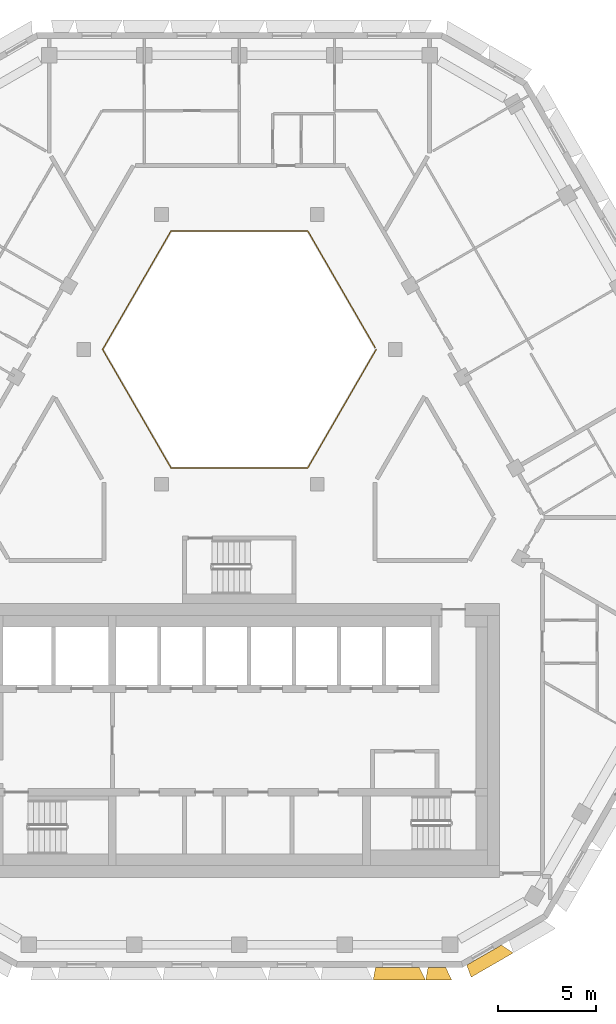
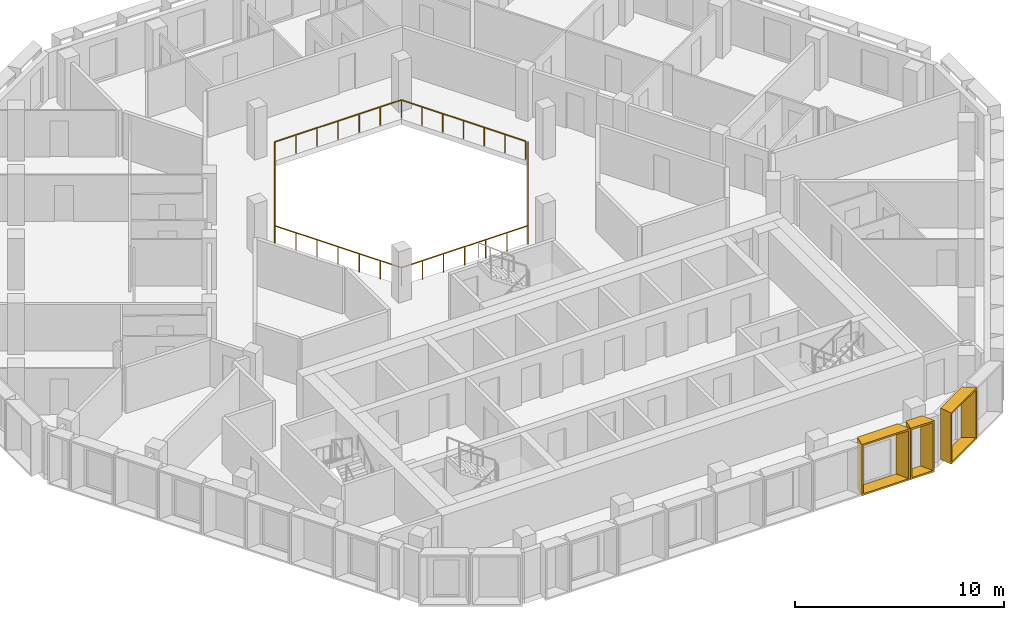
# One storey, part 13 of 15: 3 shading devices, 1 railing.
"""IFC4 building model written with IfcOpenShell, lengths in metres."""

from ifc_helpers import new_model, entity, si_unit, direction, frame, origin, origin_2d, place, context, subcontext, project, spatial, rectangle, extrude, source, transform, mapped, material, type_object, type_shapes, element, save


model = new_model("IFC4")

# Units and contexts
model_context = context("Model", 3, precision=1e-05, world=origin(), true_north=direction((0.0, 1.0)))
body_context = subcontext(model_context, "Body", "Model", "MODEL_VIEW")
ifc_project = project(units=[si_unit("LENGTHUNIT", "METRE"), si_unit("AREAUNIT", "SQUARE_METRE"), si_unit("VOLUMEUNIT", "CUBIC_METRE"), si_unit("PLANEANGLEUNIT", "RADIAN"), si_unit("MASSUNIT", "GRAM", prefix="KILO")], contexts=[model_context])

# Site, building, storey
site_placement = place(None, origin())
site = spatial("IfcSite", under=ifc_project, at=site_placement, CompositionType="ELEMENT")
building_placement = place(site_placement, origin())
building = spatial("IfcBuilding", under=site, at=building_placement, Name="Beryl Residences", CompositionType="ELEMENT")
storey_placement = place(building_placement, frame((0.0, 0.0, 187.199951171875)))
storey = spatial("IfcBuildingStorey", under=building, at=storey_placement, Name="L57", CompositionType="ELEMENT", Elevation=187.199951171875)

# Railing
ifc_material_1 = material(Name="Stainless steel balustrade with glass infill", Category="steel")
railing_type = type_object("IfcRailingType", Name="EG1 edge guard 1100 mm", PredefinedType="GUARDRAIL", material=ifc_material_1)
railing_placement = place(storey_placement, frame((6.9970703125, 8.0, 0.0)))
element("IfcRailing", 1, at=railing_placement, inside=storey, type_object=railing_type, Name="L57 atrium guard", PredefinedType="GUARDRAIL", context=body_context, shape_type="SweptSolid", body=[
    extrude(rectangle(XDim=0.048095703125, YDim=0.048095703125, at=origin_2d()), frame((0.0, 0.0, 1.076171875), z_axis=(-0.499921796684, -0.866070549782, 0.0), x_axis=(0.866070549782, -0.499921796684, 0.0)), (0.0, 0.0, 1.0), 6.9970703125),
    extrude(rectangle(XDim=0.048095703125, YDim=0.048095703125, at=origin_2d()), frame((-3.498046875, -6.06005859375, 1.076171875), z_axis=(-1.0, 0.0, 0.0), x_axis=(0.0, -1.0, 0.0)), (0.0, 0.0, 1.0), 6.998046875),
    extrude(rectangle(XDim=0.048095703125, YDim=0.048095703125, at=origin_2d()), frame((-10.49609375, -6.06005859375, 1.076171875), z_axis=(-0.499921796684, 0.866070549782, 0.0), x_axis=(-0.866070549782, -0.499921796684, 0.0)), (0.0, 0.0, 1.0), 6.9970703125),
    extrude(rectangle(XDim=0.048095703125, YDim=0.048095703125, at=origin_2d()), frame((-13.994140625, 0.0, 1.076171875), z_axis=(0.499921796684, 0.866070549782, 0.0), x_axis=(-0.866070549782, 0.499921796684, 0.0)), (0.0, 0.0, 1.0), 6.9970703125),
    extrude(rectangle(XDim=0.048095703125, YDim=0.048095703125, at=origin_2d()), frame((-10.49609375, 6.06005859375, 1.076171875), z_axis=(1.0, 0.0, 0.0), x_axis=(0.0, 1.0, 0.0)), (0.0, 0.0, 1.0), 6.998046875),
    extrude(rectangle(XDim=0.048095703125, YDim=0.048095703125, at=origin_2d()), frame((-3.498046875, 6.06005859375, 1.076171875), z_axis=(0.499919131929, -0.866072087953, 0.0), x_axis=(0.866072087953, 0.499919131929, 0.0)), (0.0, 0.0, 1.0), 6.877197265625),
    extrude(rectangle(XDim=0.0419921875, YDim=0.0419921875, at=origin_2d()), origin(), (0.0, 0.0, 1.0), 1.052001953125),
    extrude(rectangle(XDim=0.0419921875, YDim=0.0419921875, at=origin_2d()), frame((-0.5830078125, -1.010009765625, 0.0)), (0.0, 0.0, 1.0), 1.052001953125),
    extrude(rectangle(XDim=0.0419921875, YDim=0.0419921875, at=origin_2d()), frame((-1.166015625, -2.02001953125, 0.0)), (0.0, 0.0, 1.0), 1.052001953125),
    extrude(rectangle(XDim=0.0419921875, YDim=0.0419921875, at=origin_2d()), frame((-1.7490234375, -3.030029296875, 0.0)), (0.0, 0.0, 1.0), 1.052001953125),
    extrude(rectangle(XDim=0.0419921875, YDim=0.0419921875, at=origin_2d()), frame((-2.33203125, -4.0400390625, 0.0)), (0.0, 0.0, 1.0), 1.052001953125),
    extrude(rectangle(XDim=0.0419921875, YDim=0.0419921875, at=origin_2d()), frame((-2.9150390625, -5.050048828125, 0.0)), (0.0, 0.0, 1.0), 1.052001953125),
    extrude(rectangle(XDim=0.0419921875, YDim=0.0419921875, at=origin_2d()), frame((-3.498046875, -6.06005859375, 0.0)), (0.0, 0.0, 1.0), 1.052001953125),
    extrude(rectangle(XDim=0.0419921875, YDim=0.0419921875, at=origin_2d()), frame((-4.664306640625, -6.06005859375, 0.0)), (0.0, 0.0, 1.0), 1.052001953125),
    extrude(rectangle(XDim=0.0419921875, YDim=0.0419921875, at=origin_2d()), frame((-5.830810546875, -6.06005859375, 0.0)), (0.0, 0.0, 1.0), 1.052001953125),
    extrude(rectangle(XDim=0.0419921875, YDim=0.0419921875, at=origin_2d()), frame((-6.9970703125, -6.06005859375, 0.0)), (0.0, 0.0, 1.0), 1.052001953125),
    extrude(rectangle(XDim=0.0419921875, YDim=0.0419921875, at=origin_2d()), frame((-8.163330078125, -6.06005859375, 0.0)), (0.0, 0.0, 1.0), 1.052001953125),
    extrude(rectangle(XDim=0.0419921875, YDim=0.0419921875, at=origin_2d()), frame((-9.329833984375, -6.06005859375, 0.0)), (0.0, 0.0, 1.0), 1.052001953125),
    extrude(rectangle(XDim=0.0419921875, YDim=0.0419921875, at=origin_2d()), frame((-10.49609375, -6.06005859375, 0.0)), (0.0, 0.0, 1.0), 1.052001953125),
    extrude(rectangle(XDim=0.0419921875, YDim=0.0419921875, at=origin_2d()), frame((-11.0791015625, -5.050048828125, 0.0)), (0.0, 0.0, 1.0), 1.052001953125),
    extrude(rectangle(XDim=0.0419921875, YDim=0.0419921875, at=origin_2d()), frame((-11.662109375, -4.0400390625, 0.0)), (0.0, 0.0, 1.0), 1.052001953125),
    extrude(rectangle(XDim=0.0419921875, YDim=0.0419921875, at=origin_2d()), frame((-12.2451171875, -3.030029296875, 0.0)), (0.0, 0.0, 1.0), 1.052001953125),
    extrude(rectangle(XDim=0.0419921875, YDim=0.0419921875, at=origin_2d()), frame((-12.828125, -2.02001953125, 0.0)), (0.0, 0.0, 1.0), 1.052001953125),
    extrude(rectangle(XDim=0.0419921875, YDim=0.0419921875, at=origin_2d()), frame((-13.4111328125, -1.010009765625, 0.0)), (0.0, 0.0, 1.0), 1.052001953125),
    extrude(rectangle(XDim=0.0419921875, YDim=0.0419921875, at=origin_2d()), frame((-13.994140625, 0.0, 0.0)), (0.0, 0.0, 1.0), 1.052001953125),
    extrude(rectangle(XDim=0.0419921875, YDim=0.0419921875, at=origin_2d()), frame((-13.4111328125, 1.010009765625, 0.0)), (0.0, 0.0, 1.0), 1.052001953125),
    extrude(rectangle(XDim=0.0419921875, YDim=0.0419921875, at=origin_2d()), frame((-12.828125, 2.02001953125, 0.0)), (0.0, 0.0, 1.0), 1.052001953125),
    extrude(rectangle(XDim=0.0419921875, YDim=0.0419921875, at=origin_2d()), frame((-12.2451171875, 3.030029296875, 0.0)), (0.0, 0.0, 1.0), 1.052001953125),
    extrude(rectangle(XDim=0.0419921875, YDim=0.0419921875, at=origin_2d()), frame((-11.662109375, 4.0400390625, 0.0)), (0.0, 0.0, 1.0), 1.052001953125),
    extrude(rectangle(XDim=0.0419921875, YDim=0.0419921875, at=origin_2d()), frame((-11.0791015625, 5.050048828125, 0.0)), (0.0, 0.0, 1.0), 1.052001953125),
    extrude(rectangle(XDim=0.0419921875, YDim=0.0419921875, at=origin_2d()), frame((-10.49609375, 6.06005859375, 0.0)), (0.0, 0.0, 1.0), 1.052001953125),
    extrude(rectangle(XDim=0.0419921875, YDim=0.0419921875, at=origin_2d()), frame((-9.329833984375, 6.06005859375, 0.0)), (0.0, 0.0, 1.0), 1.052001953125),
    extrude(rectangle(XDim=0.0419921875, YDim=0.0419921875, at=origin_2d()), frame((-8.163330078125, 6.06005859375, 0.0)), (0.0, 0.0, 1.0), 1.052001953125),
    extrude(rectangle(XDim=0.0419921875, YDim=0.0419921875, at=origin_2d()), frame((-6.9970703125, 6.06005859375, 0.0)), (0.0, 0.0, 1.0), 1.052001953125),
    extrude(rectangle(XDim=0.0419921875, YDim=0.0419921875, at=origin_2d()), frame((-5.830810546875, 6.06005859375, 0.0)), (0.0, 0.0, 1.0), 1.052001953125),
    extrude(rectangle(XDim=0.0419921875, YDim=0.0419921875, at=origin_2d()), frame((-4.664306640625, 6.06005859375, 0.0)), (0.0, 0.0, 1.0), 1.052001953125),
    extrude(rectangle(XDim=0.0419921875, YDim=0.0419921875, at=origin_2d()), frame((-3.498046875, 6.06005859375, 0.0)), (0.0, 0.0, 1.0), 1.052001953125),
    extrude(rectangle(XDim=0.0419921875, YDim=0.0419921875, at=origin_2d()), frame((-2.925048828125, 5.0673828125, 0.0)), (0.0, 0.0, 1.0), 1.052001953125),
    extrude(rectangle(XDim=0.0419921875, YDim=0.0419921875, at=origin_2d()), frame((-2.35205078125, 4.07470703125, 0.0)), (0.0, 0.0, 1.0), 1.052001953125),
    extrude(rectangle(XDim=0.0419921875, YDim=0.0419921875, at=origin_2d()), frame((-1.779052734375, 3.08203125, 0.0)), (0.0, 0.0, 1.0), 1.052001953125),
    extrude(rectangle(XDim=0.0419921875, YDim=0.0419921875, at=origin_2d()), frame((-1.2060546875, 2.08935546875, 0.0)), (0.0, 0.0, 1.0), 1.052001953125),
    extrude(rectangle(XDim=0.0419921875, YDim=0.0419921875, at=origin_2d()), frame((-0.633056640625, 1.0966796875, 0.0)), (0.0, 0.0, 1.0), 1.052001953125),
    extrude(rectangle(XDim=0.0419921875, YDim=0.0419921875, at=origin_2d()), frame((-0.06005859375, 0.10400390625, 0.0)), (0.0, 0.0, 1.0), 1.052001953125),
])

# Shading devices
ifc_material_2 = material(Name="Aluminium pale anodised", Category="aluminium")
shading_device_type_1 = type_object("IfcShadingDeviceType", Name="FR135-65C OUTER SKIN frame 650 mm deep, splay 10/26 deg, 1350 x 3000 mm cell", PredefinedType="USERDEFINED", material=ifc_material_2)
cartesian_point_1 = entity("IfcCartesianPoint", [-0.448974609375, 0.0])
cartesian_point_2 = entity("IfcCartesianPoint", [-0.36767578125, 0.10009765625])
cartesian_point_3 = entity("IfcCartesianPoint", [-0.563720703125, 0.0])
cartesian_point_4 = entity("IfcCartesianPoint", [-0.482421875, 0.10009765625])
shared_shape_1 = source(origin(), body_context, "Body", "SweptSolid", [
    entity("IfcExtrudedAreaSolidTapered", entity("IfcArbitraryProfileDefWithVoids", "AREA", None, entity("IfcPolyline", [cartesian_point_1, entity("IfcCartesianPoint", [0.448974609375, 0.0]), entity("IfcCartesianPoint", [0.448974609375, 3.0]), entity("IfcCartesianPoint", [-0.448974609375, 3.0]), cartesian_point_1]), [entity("IfcPolyline", [cartesian_point_2, entity("IfcCartesianPoint", [0.360107421875, 0.10009765625]), entity("IfcCartesianPoint", [0.360107421875, 2.89990234375]), entity("IfcCartesianPoint", [-0.36767578125, 2.89990234375]), cartesian_point_2])]), entity("IfcAxis2Placement3D", entity("IfcCartesianPoint", [0.0, 0.0, 0.0]), entity("IfcDirection", [0.0, 1.0, 0.0]), entity("IfcDirection", [-1.0, 0.0, 0.0])), entity("IfcDirection", [0.0, 0.0, 1.0]), 0.64990234375, entity("IfcArbitraryProfileDefWithVoids", "AREA", None, entity("IfcPolyline", [cartesian_point_3, entity("IfcCartesianPoint", [0.76611328125, 0.0]), entity("IfcCartesianPoint", [0.76611328125, 3.0]), entity("IfcCartesianPoint", [-0.563720703125, 3.0]), cartesian_point_3]), [entity("IfcPolyline", [cartesian_point_4, entity("IfcCartesianPoint", [0.677001953125, 0.10009765625]), entity("IfcCartesianPoint", [0.677001953125, 2.89990234375]), entity("IfcCartesianPoint", [-0.482421875, 2.89990234375]), cartesian_point_4])])),
])
type_shapes(shading_device_type_1, [shared_shape_1])
shading_device_1_placement = place(storey_placement, frame((10.095947265625, -23.60009765625, 0.0), z_axis=(0.0, 0.0, 1.0), x_axis=(-1.0, 0.0, 0.0)))
element("IfcShadingDevice", 2, at=shading_device_1_placement, inside=storey, type_object=shading_device_type_1, Name="FR135-65C frame L57 S 9", ObjectType="OUTER SKIN", PredefinedType="USERDEFINED", context=body_context, shape_type="MappedRepresentation", body=[
    mapped(shared_shape_1, transform((0.0, 0.0, 0.0))),
])
ifc_material_3 = material(Name="Aluminium pale anodised", Category="aluminium")
shading_device_type_2 = type_object("IfcShadingDeviceType", Name="FR250-65C OUTER SKIN frame 650 mm deep, splay 10/26 deg, 2500 x 3000 mm cell", PredefinedType="USERDEFINED", material=ifc_material_3)
cartesian_point_5 = entity("IfcCartesianPoint", [-1.02392578125, 0.0])
cartesian_point_6 = entity("IfcCartesianPoint", [-0.94287109375, 0.10009765625])
cartesian_point_7 = entity("IfcCartesianPoint", [-1.138671875, 0.0])
cartesian_point_8 = entity("IfcCartesianPoint", [-1.057373046875, 0.10009765625])
shared_shape_2 = source(origin(), body_context, "Body", "SweptSolid", [
    entity("IfcExtrudedAreaSolidTapered", entity("IfcArbitraryProfileDefWithVoids", "AREA", None, entity("IfcPolyline", [cartesian_point_5, entity("IfcCartesianPoint", [1.02392578125, 0.0]), entity("IfcCartesianPoint", [1.02392578125, 3.0]), entity("IfcCartesianPoint", [-1.02392578125, 3.0]), cartesian_point_5]), [entity("IfcPolyline", [cartesian_point_6, entity("IfcCartesianPoint", [0.93505859375, 0.10009765625]), entity("IfcCartesianPoint", [0.93505859375, 2.89990234375]), entity("IfcCartesianPoint", [-0.94287109375, 2.89990234375]), cartesian_point_6])]), entity("IfcAxis2Placement3D", entity("IfcCartesianPoint", [0.0, 0.0, 0.0]), entity("IfcDirection", [0.0, 1.0, 0.0]), entity("IfcDirection", [-1.0, 0.0, 0.0])), entity("IfcDirection", [0.0, 0.0, 1.0]), 0.64990234375, entity("IfcArbitraryProfileDefWithVoids", "AREA", None, entity("IfcPolyline", [cartesian_point_7, entity("IfcCartesianPoint", [1.341064453125, 0.0]), entity("IfcCartesianPoint", [1.341064453125, 3.0]), entity("IfcCartesianPoint", [-1.138671875, 3.0]), cartesian_point_7]), [entity("IfcPolyline", [cartesian_point_8, entity("IfcCartesianPoint", [1.251953125, 0.10009765625]), entity("IfcCartesianPoint", [1.251953125, 2.89990234375]), entity("IfcCartesianPoint", [-1.057373046875, 2.89990234375]), cartesian_point_8])])),
])
type_shapes(shading_device_type_2, [shared_shape_2])
shading_device_2_placement = place(storey_placement, frame((12.513916015625, -22.97509765625, 0.0), z_axis=(0.0, 0.0, 1.0), x_axis=(-0.866025403784, -0.5, 0.0)))
element("IfcShadingDevice", 3, at=shading_device_2_placement, inside=storey, type_object=shading_device_type_2, Name="FR250-65C frame L57 S-SE 1", ObjectType="OUTER SKIN", PredefinedType="USERDEFINED", context=body_context, shape_type="MappedRepresentation", body=[
    mapped(shared_shape_2, transform((0.0, 0.0, 0.0))),
])
ifc_material_4 = material(Name="Aluminium pale anodised", Category="aluminium")
shading_device_type_3 = type_object("IfcShadingDeviceType", Name="FR269-65C OUTER SKIN frame 650 mm deep, splay 10/26 deg, 2690 x 3000 mm cell", PredefinedType="USERDEFINED", material=ifc_material_4)
cartesian_point_9 = entity("IfcCartesianPoint", [-1.118896484375, 0.0])
cartesian_point_10 = entity("IfcCartesianPoint", [-1.037841796875, 0.10009765625])
cartesian_point_11 = entity("IfcCartesianPoint", [-1.233642578125, 0.0])
cartesian_point_12 = entity("IfcCartesianPoint", [-1.15234375, 0.10009765625])
shared_shape_3 = source(origin(), body_context, "Body", "SweptSolid", [
    entity("IfcExtrudedAreaSolidTapered", entity("IfcArbitraryProfileDefWithVoids", "AREA", None, entity("IfcPolyline", [cartesian_point_9, entity("IfcCartesianPoint", [1.118896484375, 0.0]), entity("IfcCartesianPoint", [1.118896484375, 3.0]), entity("IfcCartesianPoint", [-1.118896484375, 3.0]), cartesian_point_9]), [entity("IfcPolyline", [cartesian_point_10, entity("IfcCartesianPoint", [1.030029296875, 0.10009765625]), entity("IfcCartesianPoint", [1.030029296875, 2.89990234375]), entity("IfcCartesianPoint", [-1.037841796875, 2.89990234375]), cartesian_point_10])]), entity("IfcAxis2Placement3D", entity("IfcCartesianPoint", [0.0, 0.0, 0.0]), entity("IfcDirection", [0.0, 1.0, 0.0]), entity("IfcDirection", [-1.0, 0.0, 0.0])), entity("IfcDirection", [0.0, 0.0, 1.0]), 0.64990234375, entity("IfcArbitraryProfileDefWithVoids", "AREA", None, entity("IfcPolyline", [cartesian_point_11, entity("IfcCartesianPoint", [1.43603515625, 0.0]), entity("IfcCartesianPoint", [1.43603515625, 3.0]), entity("IfcCartesianPoint", [-1.233642578125, 3.0]), cartesian_point_11]), [entity("IfcPolyline", [cartesian_point_12, entity("IfcCartesianPoint", [1.346923828125, 0.10009765625]), entity("IfcCartesianPoint", [1.346923828125, 2.89990234375]), entity("IfcCartesianPoint", [-1.15234375, 2.89990234375]), cartesian_point_12])])),
])
type_shapes(shading_device_type_3, [shared_shape_3])
shading_device_3_placement = place(storey_placement, frame((8.076904296875, -23.60009765625, 0.0), z_axis=(0.0, 0.0, 1.0), x_axis=(-1.0, 0.0, 0.0)))
element("IfcShadingDevice", 4, at=shading_device_3_placement, inside=storey, type_object=shading_device_type_3, Name="FR269-65C frame L57 S 8", ObjectType="OUTER SKIN", PredefinedType="USERDEFINED", context=body_context, shape_type="MappedRepresentation", body=[
    mapped(shared_shape_3, transform((0.0, 0.0, 0.0))),
])

save(model, "model.ifc")
